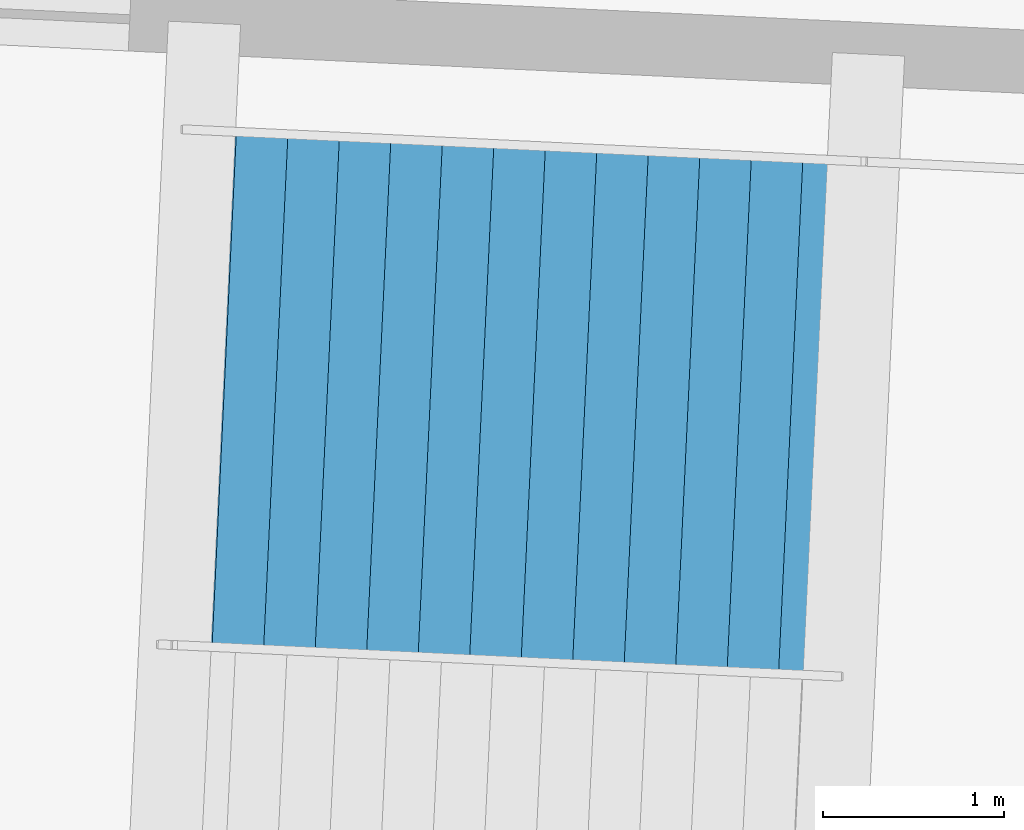
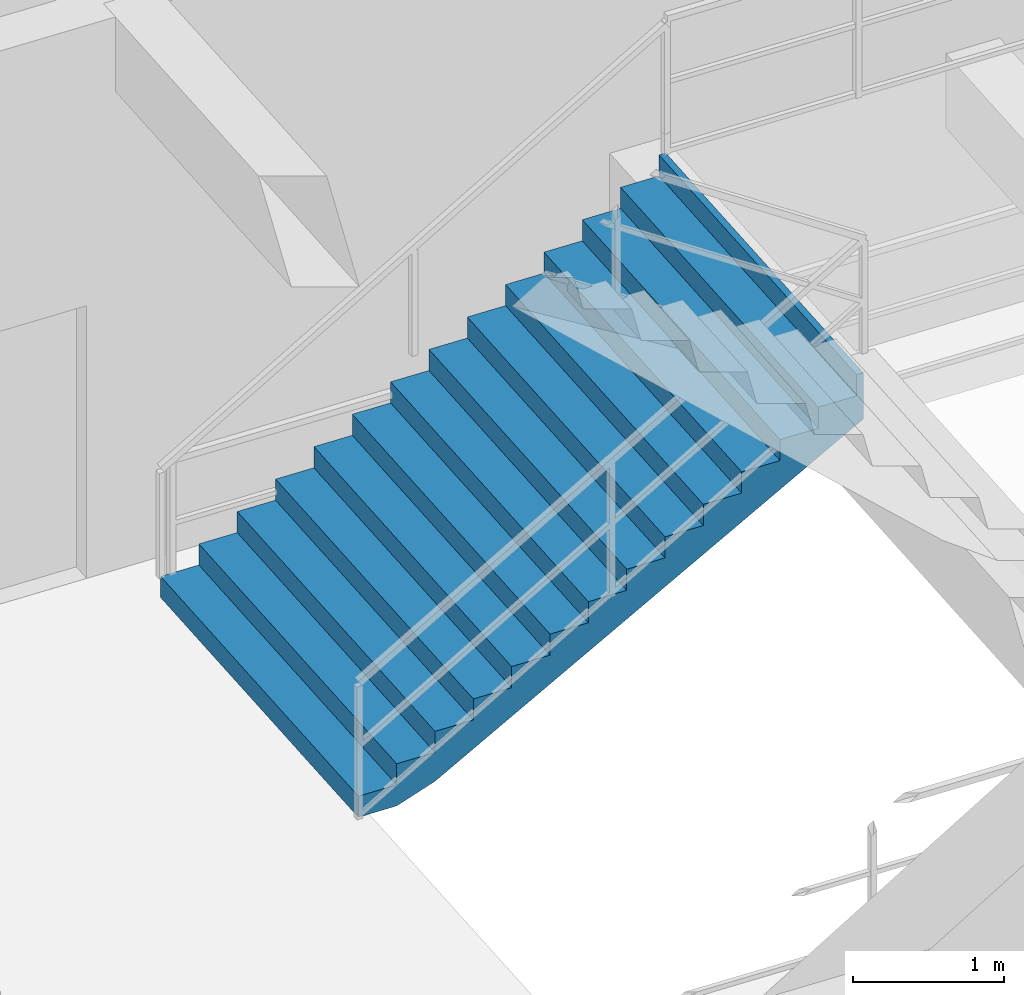
# One storey, part 145 of 171: 1 stair flight, 1 element without a shape of its own.
"""IFC4 building model written with IfcOpenShell, lengths in metres."""

from ifc_helpers import new_model, si_unit, direction, frame, origin, place, context, subcontext, project, spatial, polygons, material, type_object, element, aggregate, save


model = new_model("IFC4")

# Units and contexts
model_context = context("Model", 3, precision=1e-05, world=origin(), true_north=direction((0.0, 1.0)))
body_context = subcontext(model_context, "Body", "Model", "MODEL_VIEW")
ifc_project = project(units=[si_unit("LENGTHUNIT", "METRE"), si_unit("AREAUNIT", "SQUARE_METRE"), si_unit("VOLUMEUNIT", "CUBIC_METRE"), si_unit("PLANEANGLEUNIT", "RADIAN"), si_unit("MASSUNIT", "GRAM", prefix="KILO")], contexts=[model_context])

# Site, building, storey
site_placement = place(None, origin())
site = spatial("IfcSite", under=ifc_project, at=site_placement, CompositionType="ELEMENT")
building_placement = place(site_placement, origin())
building = spatial("IfcBuilding", under=site, at=building_placement, Name="Kazemori Nagisa Stadium", CompositionType="ELEMENT")
storey_placement = place(building_placement, frame((0.0, 0.0, 15.639892578125)))
storey = spatial("IfcBuildingStorey", under=building, at=storey_placement, Name="L03", CompositionType="ELEMENT", Elevation=15.639892578125)

# Stair, stair flight
ifc_material = material(Name="Concrete C36/45 (Fc36)", Category="concrete")
stair_type = type_object("IfcStairType", Name="Stair_CORE_28", PredefinedType="TWO_STRAIGHT_RUN_STAIR", material=ifc_material)
stair_placement = place(storey_placement, origin())
stair = element("IfcStair", 1, at=stair_placement, inside=storey, type_object=stair_type, Name="Exit stair ST12 L03", PredefinedType="TWO_STRAIGHT_RUN_STAIR")
stair_flight_type = type_object("IfcStairFlightType", Name="Flight_CORE_14", PredefinedType="STRAIGHT", material=ifc_material)
stair_flight_placement = place(storey_placement, frame((107.177490234375, 24.015380859375, 0.0), z_axis=(0.0, 0.0, 1.0), x_axis=(0.998883292929, -0.047245815755, 0.0)))
stair_flight = element("IfcStairFlight", 2, at=stair_flight_placement, type_object=stair_flight_type, Name="Exit stair ST12 L03 flight 1", NumberOfRisers=14, NumberOfTreads=13, PredefinedType="STRAIGHT", RiserHeight=0.17, TreadLength=0.285, context=body_context, shape_type="Tessellation", body=[
    polygons([(0.0, -1.425048828125, 0.0), (0.0, -1.425048828125, 0.169921875), (0.284912109375, -1.425048828125, 0.169921875), (0.284912109375, -1.425048828125, 0.340087890625), (0.570068359375, -1.425048828125, 0.340087890625), (0.570068359375, -1.425048828125, 0.510009765625), (0.85498046875, -1.425048828125, 0.510009765625), (0.85498046875, -1.425048828125, 0.679931640625), (1.139892578125, -1.425048828125, 0.679931640625), (1.139892578125, -1.425048828125, 0.85009765625), (1.425048828125, -1.425048828125, 0.85009765625), (1.425048828125, -1.425048828125, 1.02001953125), (1.7099609375, -1.425048828125, 1.02001953125), (1.7099609375, -1.425048828125, 1.18994140625), (1.9951171875, -1.425048828125, 1.18994140625), (1.9951171875, -1.425048828125, 1.360107421875), (2.280029296875, -1.425048828125, 1.360107421875), (2.280029296875, -1.425048828125, 1.530029296875), (2.56494140625, -1.425048828125, 1.530029296875), (2.56494140625, -1.425048828125, 1.699951171875), (2.85009765625, -1.425048828125, 1.699951171875), (2.85009765625, -1.425048828125, 1.8701171875), (3.135009765625, -1.425048828125, 1.8701171875), (3.135009765625, -1.425048828125, 2.0400390625), (3.419921875, -1.425048828125, 2.0400390625), (3.419921875, -1.425048828125, 2.2099609375), (3.705078125, -1.425048828125, 2.2099609375), (3.705078125, -1.425048828125, 2.3798828125), (3.7548828125, -1.425048828125, 2.3798828125), (3.7548828125, -1.425048828125, 2.007080078125), (3.705078125, -1.425048828125, 1.977294921875), (3.419921875, -1.425048828125, 1.80712890625), (3.135009765625, -1.425048828125, 1.63720703125), (2.85009765625, -1.425048828125, 1.46728515625), (2.56494140625, -1.425048828125, 1.297119140625), (2.280029296875, -1.425048828125, 1.127197265625), (1.9951171875, -1.425048828125, 0.957275390625), (1.7099609375, -1.425048828125, 0.787109375), (1.425048828125, -1.425048828125, 0.6171875), (1.139892578125, -1.425048828125, 0.447265625), (0.85498046875, -1.425048828125, 0.277099609375), (0.570068359375, -1.425048828125, 0.107177734375), (0.284912109375, -1.425048828125, 0.0), (0.0, -0.08544921875, 0.0), (0.0, -0.08544921875, 0.169921875), (0.284912109375, -0.08544921875, 0.169921875), (0.284912109375, -0.08544921875, 0.340087890625), (0.570068359375, -0.08544921875, 0.340087890625), (0.570068359375, -0.08544921875, 0.510009765625), (0.85498046875, -0.08544921875, 0.510009765625), (0.85498046875, -0.08544921875, 0.679931640625), (1.139892578125, -0.08544921875, 0.679931640625), (1.139892578125, -0.08544921875, 0.85009765625), (1.425048828125, -0.08544921875, 0.85009765625), (1.425048828125, -0.08544921875, 1.02001953125), (1.7099609375, -0.08544921875, 1.02001953125), (1.7099609375, -0.08544921875, 1.18994140625), (1.9951171875, -0.08544921875, 1.18994140625), (1.9951171875, -0.08544921875, 1.360107421875), (2.280029296875, -0.08544921875, 1.360107421875), (2.280029296875, -0.08544921875, 1.530029296875), (2.56494140625, -0.08544921875, 1.530029296875), (2.56494140625, -0.08544921875, 1.699951171875), (2.85009765625, -0.08544921875, 1.699951171875), (2.85009765625, -0.08544921875, 1.8701171875), (3.135009765625, -0.08544921875, 1.8701171875), (3.135009765625, -0.08544921875, 2.0400390625), (3.419921875, -0.08544921875, 2.0400390625), (3.419921875, -0.08544921875, 2.2099609375), (3.705078125, -0.08544921875, 2.2099609375), (3.705078125, -0.08544921875, 2.3798828125), (3.7548828125, -0.08544921875, 2.3798828125), (3.7548828125, -0.08544921875, 2.007080078125), (3.705078125, -0.08544921875, 1.977294921875), (3.419921875, -0.08544921875, 1.80712890625), (3.135009765625, -0.08544921875, 1.63720703125), (2.85009765625, -0.08544921875, 1.46728515625), (2.56494140625, -0.08544921875, 1.297119140625), (2.280029296875, -0.08544921875, 1.127197265625), (1.9951171875, -0.08544921875, 0.957275390625), (1.7099609375, -0.08544921875, 0.787109375), (1.425048828125, -0.08544921875, 0.6171875), (1.139892578125, -0.08544921875, 0.447265625), (0.85498046875, -0.08544921875, 0.277099609375), (0.570068359375, -0.08544921875, 0.107177734375), (0.284912109375, -0.08544921875, 0.0), (0.0, 0.0, 0.0), (0.0, 0.0, 0.169921875), (0.284912109375, 0.0, 0.169921875), (0.284912109375, 0.0, 0.340087890625), (0.570068359375, 0.0, 0.340087890625), (0.570068359375, 0.0, 0.510009765625), (0.85498046875, 0.0, 0.510009765625), (0.85498046875, 0.0, 0.679931640625), (1.139892578125, 0.0, 0.679931640625), (1.139892578125, 0.0, 0.85009765625), (1.425048828125, 0.0, 0.85009765625), (1.425048828125, 0.0, 1.02001953125), (1.7099609375, 0.0, 1.02001953125), (1.7099609375, 0.0, 1.18994140625), (1.9951171875, 0.0, 1.18994140625), (1.9951171875, 0.0, 1.360107421875), (2.280029296875, 0.0, 1.360107421875), (2.280029296875, 0.0, 1.530029296875), (2.56494140625, 0.0, 1.530029296875), (2.56494140625, 0.0, 1.699951171875), (2.85009765625, 0.0, 1.699951171875), (2.85009765625, 0.0, 1.8701171875), (3.135009765625, 0.0, 1.8701171875), (3.135009765625, 0.0, 2.0400390625), (3.419921875, 0.0, 2.0400390625), (3.419921875, 0.0, 2.2099609375), (3.705078125, 0.0, 2.2099609375), (3.705078125, 0.0, 2.3798828125), (3.7548828125, 0.0, 2.3798828125), (3.7548828125, 0.0, 2.007080078125), (3.705078125, 0.0, 1.977294921875), (3.419921875, 0.0, 1.80712890625), (3.135009765625, 0.0, 1.63720703125), (2.85009765625, 0.0, 1.46728515625), (2.56494140625, 0.0, 1.297119140625), (2.280029296875, 0.0, 1.127197265625), (1.9951171875, 0.0, 0.957275390625), (1.7099609375, 0.0, 0.787109375), (1.425048828125, 0.0, 0.6171875), (1.139892578125, 0.0, 0.447265625), (0.85498046875, 0.0, 0.277099609375), (0.570068359375, 0.0, 0.107177734375), (0.284912109375, 0.0, 0.0), (0.0, 0.08544921875, 0.0), (0.0, 0.08544921875, 0.169921875), (0.284912109375, 0.08544921875, 0.169921875), (0.284912109375, 0.08544921875, 0.340087890625), (0.570068359375, 0.08544921875, 0.340087890625), (0.570068359375, 0.08544921875, 0.510009765625), (0.85498046875, 0.08544921875, 0.510009765625), (0.85498046875, 0.08544921875, 0.679931640625), (1.139892578125, 0.08544921875, 0.679931640625), (1.139892578125, 0.08544921875, 0.85009765625), (1.425048828125, 0.08544921875, 0.85009765625), (1.425048828125, 0.08544921875, 1.02001953125), (1.7099609375, 0.08544921875, 1.02001953125), (1.7099609375, 0.08544921875, 1.18994140625), (1.9951171875, 0.08544921875, 1.18994140625), (1.9951171875, 0.08544921875, 1.360107421875), (2.280029296875, 0.08544921875, 1.360107421875), (2.280029296875, 0.08544921875, 1.530029296875), (2.56494140625, 0.08544921875, 1.530029296875), (2.56494140625, 0.08544921875, 1.699951171875), (2.85009765625, 0.08544921875, 1.699951171875), (2.85009765625, 0.08544921875, 1.8701171875), (3.135009765625, 0.08544921875, 1.8701171875), (3.135009765625, 0.08544921875, 2.0400390625), (3.419921875, 0.08544921875, 2.0400390625), (3.419921875, 0.08544921875, 2.2099609375), (3.705078125, 0.08544921875, 2.2099609375), (3.705078125, 0.08544921875, 2.3798828125), (3.7548828125, 0.08544921875, 2.3798828125), (3.7548828125, 0.08544921875, 2.007080078125), (3.705078125, 0.08544921875, 1.977294921875), (3.419921875, 0.08544921875, 1.80712890625), (3.135009765625, 0.08544921875, 1.63720703125), (2.85009765625, 0.08544921875, 1.46728515625), (2.56494140625, 0.08544921875, 1.297119140625), (2.280029296875, 0.08544921875, 1.127197265625), (1.9951171875, 0.08544921875, 0.957275390625), (1.7099609375, 0.08544921875, 0.787109375), (1.425048828125, 0.08544921875, 0.6171875), (1.139892578125, 0.08544921875, 0.447265625), (0.85498046875, 0.08544921875, 0.277099609375), (0.570068359375, 0.08544921875, 0.107177734375), (0.284912109375, 0.08544921875, 0.0), (0.0, 1.425048828125, 0.0), (0.0, 1.425048828125, 0.169921875), (0.284912109375, 1.425048828125, 0.169921875), (0.284912109375, 1.425048828125, 0.340087890625), (0.570068359375, 1.425048828125, 0.340087890625), (0.570068359375, 1.425048828125, 0.510009765625), (0.85498046875, 1.425048828125, 0.510009765625), (0.85498046875, 1.425048828125, 0.679931640625), (1.139892578125, 1.425048828125, 0.679931640625), (1.139892578125, 1.425048828125, 0.85009765625), (1.425048828125, 1.425048828125, 0.85009765625), (1.425048828125, 1.425048828125, 1.02001953125), (1.7099609375, 1.425048828125, 1.02001953125), (1.7099609375, 1.425048828125, 1.18994140625), (1.9951171875, 1.425048828125, 1.18994140625), (1.9951171875, 1.425048828125, 1.360107421875), (2.280029296875, 1.425048828125, 1.360107421875), (2.280029296875, 1.425048828125, 1.530029296875), (2.56494140625, 1.425048828125, 1.530029296875), (2.56494140625, 1.425048828125, 1.699951171875), (2.85009765625, 1.425048828125, 1.699951171875), (2.85009765625, 1.425048828125, 1.8701171875), (3.135009765625, 1.425048828125, 1.8701171875), (3.135009765625, 1.425048828125, 2.0400390625), (3.419921875, 1.425048828125, 2.0400390625), (3.419921875, 1.425048828125, 2.2099609375), (3.705078125, 1.425048828125, 2.2099609375), (3.705078125, 1.425048828125, 2.3798828125), (3.7548828125, 1.425048828125, 2.3798828125), (3.7548828125, 1.425048828125, 2.007080078125), (3.705078125, 1.425048828125, 1.977294921875), (3.419921875, 1.425048828125, 1.80712890625), (3.135009765625, 1.425048828125, 1.63720703125), (2.85009765625, 1.425048828125, 1.46728515625), (2.56494140625, 1.425048828125, 1.297119140625), (2.280029296875, 1.425048828125, 1.127197265625), (1.9951171875, 1.425048828125, 0.957275390625), (1.7099609375, 1.425048828125, 0.787109375), (1.425048828125, 1.425048828125, 0.6171875), (1.139892578125, 1.425048828125, 0.447265625), (0.85498046875, 1.425048828125, 0.277099609375), (0.570068359375, 1.425048828125, 0.107177734375), (0.284912109375, 1.425048828125, 0.0)], [[[1, 2, 45]], [[1, 45, 44]], [[2, 3, 46]], [[2, 46, 45]], [[3, 4, 47]], [[3, 47, 46]], [[4, 5, 48]], [[4, 48, 47]], [[5, 6, 49]], [[5, 49, 48]], [[6, 7, 50]], [[6, 50, 49]], [[7, 8, 51]], [[7, 51, 50]], [[8, 9, 52]], [[8, 52, 51]], [[9, 10, 53]], [[9, 53, 52]], [[10, 11, 54]], [[10, 54, 53]], [[11, 12, 55]], [[11, 55, 54]], [[12, 13, 56]], [[12, 56, 55]], [[13, 14, 57]], [[13, 57, 56]], [[14, 15, 58]], [[14, 58, 57]], [[15, 16, 59]], [[15, 59, 58]], [[16, 17, 60]], [[16, 60, 59]], [[17, 18, 61]], [[17, 61, 60]], [[18, 19, 62]], [[18, 62, 61]], [[19, 20, 63]], [[19, 63, 62]], [[20, 21, 64]], [[20, 64, 63]], [[21, 22, 65]], [[21, 65, 64]], [[22, 23, 66]], [[22, 66, 65]], [[23, 24, 67]], [[23, 67, 66]], [[24, 25, 68]], [[24, 68, 67]], [[25, 26, 69]], [[25, 69, 68]], [[26, 27, 70]], [[26, 70, 69]], [[27, 28, 71]], [[27, 71, 70]], [[28, 29, 72]], [[28, 72, 71]], [[29, 30, 73]], [[29, 73, 72]], [[30, 31, 74]], [[30, 74, 73]], [[31, 32, 75]], [[31, 75, 74]], [[32, 33, 76]], [[32, 76, 75]], [[33, 34, 77]], [[33, 77, 76]], [[34, 35, 78]], [[34, 78, 77]], [[35, 36, 79]], [[35, 79, 78]], [[36, 37, 80]], [[36, 80, 79]], [[37, 38, 81]], [[37, 81, 80]], [[38, 39, 82]], [[38, 82, 81]], [[39, 40, 83]], [[39, 83, 82]], [[40, 41, 84]], [[40, 84, 83]], [[41, 42, 85]], [[41, 85, 84]], [[42, 43, 86]], [[42, 86, 85]], [[43, 1, 44]], [[43, 44, 86]], [[44, 45, 88]], [[44, 88, 87]], [[45, 46, 89]], [[45, 89, 88]], [[46, 47, 90]], [[46, 90, 89]], [[47, 48, 91]], [[47, 91, 90]], [[48, 49, 92]], [[48, 92, 91]], [[49, 50, 93]], [[49, 93, 92]], [[50, 51, 94]], [[50, 94, 93]], [[51, 52, 95]], [[51, 95, 94]], [[52, 53, 96]], [[52, 96, 95]], [[53, 54, 97]], [[53, 97, 96]], [[54, 55, 98]], [[54, 98, 97]], [[55, 56, 99]], [[55, 99, 98]], [[56, 57, 100]], [[56, 100, 99]], [[57, 58, 101]], [[57, 101, 100]], [[58, 59, 102]], [[58, 102, 101]], [[59, 60, 103]], [[59, 103, 102]], [[60, 61, 104]], [[60, 104, 103]], [[61, 62, 105]], [[61, 105, 104]], [[62, 63, 106]], [[62, 106, 105]], [[63, 64, 107]], [[63, 107, 106]], [[64, 65, 108]], [[64, 108, 107]], [[65, 66, 109]], [[65, 109, 108]], [[66, 67, 110]], [[66, 110, 109]], [[67, 68, 111]], [[67, 111, 110]], [[68, 69, 112]], [[68, 112, 111]], [[69, 70, 113]], [[69, 113, 112]], [[70, 71, 114]], [[70, 114, 113]], [[71, 72, 115]], [[71, 115, 114]], [[72, 73, 116]], [[72, 116, 115]], [[73, 74, 117]], [[73, 117, 116]], [[74, 75, 118]], [[74, 118, 117]], [[75, 76, 119]], [[75, 119, 118]], [[76, 77, 120]], [[76, 120, 119]], [[77, 78, 121]], [[77, 121, 120]], [[78, 79, 122]], [[78, 122, 121]], [[79, 80, 123]], [[79, 123, 122]], [[80, 81, 124]], [[80, 124, 123]], [[81, 82, 125]], [[81, 125, 124]], [[82, 83, 126]], [[82, 126, 125]], [[83, 84, 127]], [[83, 127, 126]], [[84, 85, 128]], [[84, 128, 127]], [[85, 86, 129]], [[85, 129, 128]], [[86, 44, 87]], [[86, 87, 129]], [[87, 88, 131]], [[87, 131, 130]], [[88, 89, 132]], [[88, 132, 131]], [[89, 90, 133]], [[89, 133, 132]], [[90, 91, 134]], [[90, 134, 133]], [[91, 92, 135]], [[91, 135, 134]], [[92, 93, 136]], [[92, 136, 135]], [[93, 94, 137]], [[93, 137, 136]], [[94, 95, 138]], [[94, 138, 137]], [[95, 96, 139]], [[95, 139, 138]], [[96, 97, 140]], [[96, 140, 139]], [[97, 98, 141]], [[97, 141, 140]], [[98, 99, 142]], [[98, 142, 141]], [[99, 100, 143]], [[99, 143, 142]], [[100, 101, 144]], [[100, 144, 143]], [[101, 102, 145]], [[101, 145, 144]], [[102, 103, 146]], [[102, 146, 145]], [[103, 104, 147]], [[103, 147, 146]], [[104, 105, 148]], [[104, 148, 147]], [[105, 106, 149]], [[105, 149, 148]], [[106, 107, 150]], [[106, 150, 149]], [[107, 108, 151]], [[107, 151, 150]], [[108, 109, 152]], [[108, 152, 151]], [[109, 110, 153]], [[109, 153, 152]], [[110, 111, 154]], [[110, 154, 153]], [[111, 112, 155]], [[111, 155, 154]], [[112, 113, 156]], [[112, 156, 155]], [[113, 114, 157]], [[113, 157, 156]], [[114, 115, 158]], [[114, 158, 157]], [[115, 116, 159]], [[115, 159, 158]], [[116, 117, 160]], [[116, 160, 159]], [[117, 118, 161]], [[117, 161, 160]], [[118, 119, 162]], [[118, 162, 161]], [[119, 120, 163]], [[119, 163, 162]], [[120, 121, 164]], [[120, 164, 163]], [[121, 122, 165]], [[121, 165, 164]], [[122, 123, 166]], [[122, 166, 165]], [[123, 124, 167]], [[123, 167, 166]], [[124, 125, 168]], [[124, 168, 167]], [[125, 126, 169]], [[125, 169, 168]], [[126, 127, 170]], [[126, 170, 169]], [[127, 128, 171]], [[127, 171, 170]], [[128, 129, 172]], [[128, 172, 171]], [[129, 87, 130]], [[129, 130, 172]], [[130, 131, 174]], [[130, 174, 173]], [[131, 132, 175]], [[131, 175, 174]], [[132, 133, 176]], [[132, 176, 175]], [[133, 134, 177]], [[133, 177, 176]], [[134, 135, 178]], [[134, 178, 177]], [[135, 136, 179]], [[135, 179, 178]], [[136, 137, 180]], [[136, 180, 179]], [[137, 138, 181]], [[137, 181, 180]], [[138, 139, 182]], [[138, 182, 181]], [[139, 140, 183]], [[139, 183, 182]], [[140, 141, 184]], [[140, 184, 183]], [[141, 142, 185]], [[141, 185, 184]], [[142, 143, 186]], [[142, 186, 185]], [[143, 144, 187]], [[143, 187, 186]], [[144, 145, 188]], [[144, 188, 187]], [[145, 146, 189]], [[145, 189, 188]], [[146, 147, 190]], [[146, 190, 189]], [[147, 148, 191]], [[147, 191, 190]], [[148, 149, 192]], [[148, 192, 191]], [[149, 150, 193]], [[149, 193, 192]], [[150, 151, 194]], [[150, 194, 193]], [[151, 152, 195]], [[151, 195, 194]], [[152, 153, 196]], [[152, 196, 195]], [[153, 154, 197]], [[153, 197, 196]], [[154, 155, 198]], [[154, 198, 197]], [[155, 156, 199]], [[155, 199, 198]], [[156, 157, 200]], [[156, 200, 199]], [[157, 158, 201]], [[157, 201, 200]], [[158, 159, 202]], [[158, 202, 201]], [[159, 160, 203]], [[159, 203, 202]], [[160, 161, 204]], [[160, 204, 203]], [[161, 162, 205]], [[161, 205, 204]], [[162, 163, 206]], [[162, 206, 205]], [[163, 164, 207]], [[163, 207, 206]], [[164, 165, 208]], [[164, 208, 207]], [[165, 166, 209]], [[165, 209, 208]], [[166, 167, 210]], [[166, 210, 209]], [[167, 168, 211]], [[167, 211, 210]], [[168, 169, 212]], [[168, 212, 211]], [[169, 170, 213]], [[169, 213, 212]], [[170, 171, 214]], [[170, 214, 213]], [[171, 172, 215]], [[171, 215, 214]], [[172, 130, 173]], [[172, 173, 215]], [[3, 2, 1]], [[173, 174, 175]], [[43, 3, 1]], [[173, 175, 215]], [[42, 3, 43]], [[215, 175, 214]], [[5, 3, 42]], [[214, 175, 177]], [[5, 4, 3]], [[175, 176, 177]], [[41, 5, 42]], [[214, 177, 213]], [[7, 5, 41]], [[213, 177, 179]], [[7, 6, 5]], [[177, 178, 179]], [[40, 7, 41]], [[213, 179, 212]], [[9, 7, 40]], [[212, 179, 181]], [[9, 8, 7]], [[179, 180, 181]], [[39, 9, 40]], [[212, 181, 211]], [[11, 9, 39]], [[211, 181, 183]], [[11, 10, 9]], [[181, 182, 183]], [[38, 11, 39]], [[211, 183, 210]], [[13, 11, 38]], [[210, 183, 185]], [[13, 12, 11]], [[183, 184, 185]], [[37, 13, 38]], [[210, 185, 209]], [[15, 13, 37]], [[209, 185, 187]], [[15, 14, 13]], [[185, 186, 187]], [[36, 15, 37]], [[209, 187, 208]], [[17, 15, 36]], [[208, 187, 189]], [[17, 16, 15]], [[187, 188, 189]], [[35, 17, 36]], [[208, 189, 207]], [[19, 17, 35]], [[207, 189, 191]], [[19, 18, 17]], [[189, 190, 191]], [[34, 19, 35]], [[207, 191, 206]], [[21, 19, 34]], [[206, 191, 193]], [[21, 20, 19]], [[191, 192, 193]], [[33, 21, 34]], [[206, 193, 205]], [[23, 21, 33]], [[205, 193, 195]], [[23, 22, 21]], [[193, 194, 195]], [[32, 23, 33]], [[205, 195, 204]], [[25, 23, 32]], [[204, 195, 197]], [[25, 24, 23]], [[195, 196, 197]], [[31, 25, 32]], [[204, 197, 203]], [[27, 25, 31]], [[203, 197, 199]], [[27, 26, 25]], [[197, 198, 199]], [[30, 27, 31]], [[203, 199, 202]], [[29, 27, 30]], [[202, 199, 201]], [[29, 28, 27]], [[199, 200, 201]]], closed=True),
])
aggregate(stair, [stair_flight])

save(model, "model.ifc")
